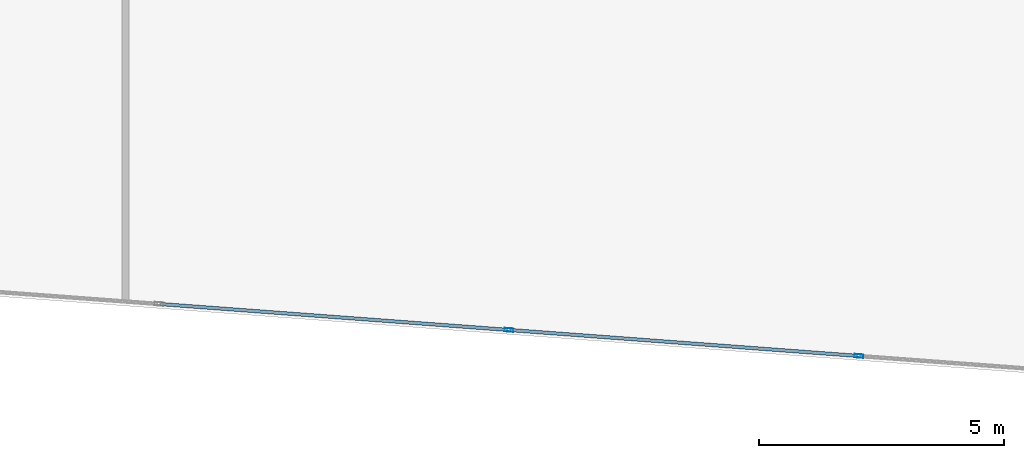
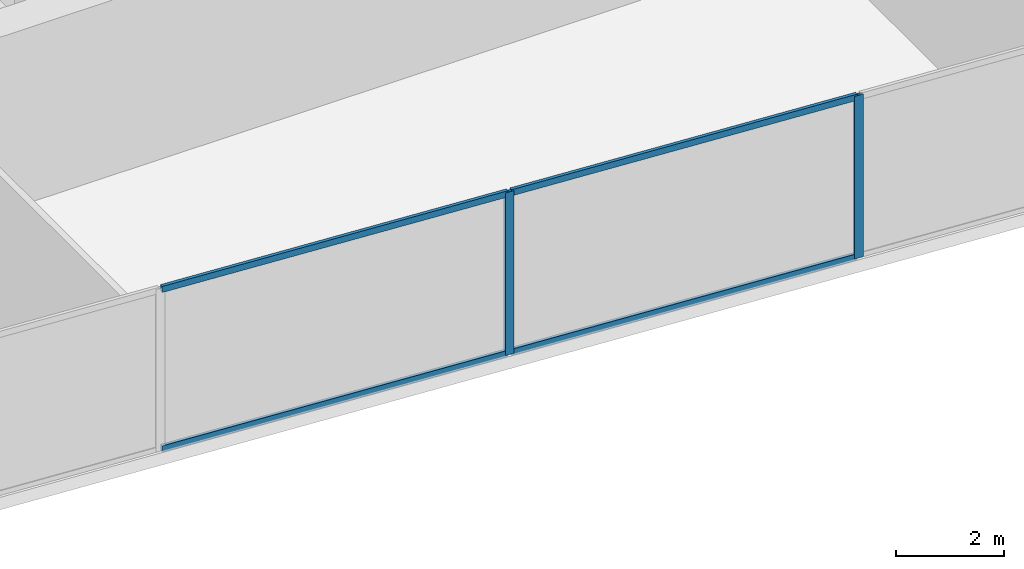
# One storey, part 6 of 30: 6 members, 1 element without a shape of its own.
"""IFC4 building model written with IfcOpenShell, lengths in metres."""

import ifcopenshell
import ifcopenshell.guid

model = None  # the IFC model being written
_history = None  # IfcOwnerHistory: only IFC2X3 demands one
_inside = {}  # id of a spatial element -> (the spatial element, [elements in it])
_under = {}  # id of a project, library or spatial element -> (it, [spatial elements below it])
_declared = {}  # id of a project -> (the project, [libraries it declares])
_typed = {}  # id of a type object -> (the type object, [elements of that type])
_made_of = {}  # id of a material, layer set ... -> (it, [elements and type objects made of it])


def new_model(schema):
    """Start an empty IFC model of exactly this schema.

    Asked for "IFC4X3", IfcOpenShell would pick the latest addendum, in which some entities
    have other attributes; the version numbers below select the first issue.
    IFC2X3 requires an IfcOwnerHistory on every rooted entity: one is made here for all.
    """
    global model, _history
    if schema == "IFC4X3":
        model = ifcopenshell.file(schema_version=(4, 3, 0, 0))
    else:
        model = ifcopenshell.file(schema=schema)
    _inside.clear()
    _under.clear()
    _declared.clear()
    _typed.clear()
    _made_of.clear()
    _history = None
    if model.schema == "IFC2X3":
        org = make("IfcOrganization", Name="unknown")
        user = make(
            "IfcPersonAndOrganization",
            ThePerson=make("IfcPerson", FamilyName="unknown"),
            TheOrganization=org,
        )
        app = make(
            "IfcApplication",
            ApplicationDeveloper=org,
            Version="unknown",
            ApplicationFullName="unknown",
            ApplicationIdentifier="unknown",
        )
        _history = make(
            "IfcOwnerHistory",
            OwningUser=user,
            OwningApplication=app,
            ChangeAction="ADDED",
            CreationDate=0,
        )
    return model


def make(cls, **values):
    """One entity of the class cls with the attributes given. An attribute that is None is left unset."""
    return model.create_entity(
        cls, **{name: value for name, value in values.items() if value is not None}
    )


def rooted(cls, **values):
    """An entity with a GlobalId (a new one), such as an element, a storey or a relation."""
    return make(cls, GlobalId=ifcopenshell.guid.new(), OwnerHistory=_history, **values)


def si_unit(unit_type, name, prefix=None):
    """IfcSIUnit, for example si_unit("LENGTHUNIT", "METRE", prefix="MILLI")."""
    return make("IfcSIUnit", UnitType=unit_type, Prefix=prefix, Name=name)


def assignment(units):
    """IfcUnitAssignment: the units of a project."""
    return None if units is None else make("IfcUnitAssignment", Units=units)


def point(xyz):
    """IfcCartesianPoint."""
    return None if xyz is None else make("IfcCartesianPoint", Coordinates=xyz)


def direction(xyz):
    """IfcDirection."""
    return None if xyz is None else make("IfcDirection", DirectionRatios=xyz)


def frame(location, z_axis=None, x_axis=None):
    """IfcAxis2Placement3D, a coordinate frame: its origin and axes. An axis left out is left unset."""
    return make(
        "IfcAxis2Placement3D",
        Location=point(location),
        Axis=direction(z_axis),
        RefDirection=direction(x_axis),
    )


def frame_2d(location, x_axis=None):
    """IfcAxis2Placement2D, a coordinate frame in the plane: its origin and x axis."""
    return make(
        "IfcAxis2Placement2D", Location=point(location), RefDirection=direction(x_axis)
    )


def origin():
    """The frame at (0, 0, 0) with its axes left unset."""
    return frame((0.0, 0.0, 0.0))


def origin_2d():
    """The frame at (0, 0) in the plane with its x axis left unset."""
    return frame_2d((0.0, 0.0))


def place(relative_to, where):
    """IfcLocalPlacement: puts the frame where relative to a parent placement (None: the world)."""
    return make(
        "IfcLocalPlacement", PlacementRelTo=relative_to, RelativePlacement=where
    )


def context(
    kind, dimensions, precision=None, world=None, true_north=None, identifier=None
):
    """IfcGeometricRepresentationContext, for example the 3D "Model" context."""
    return make(
        "IfcGeometricRepresentationContext",
        ContextIdentifier=identifier,
        ContextType=kind,
        CoordinateSpaceDimension=dimensions,
        Precision=precision,
        WorldCoordinateSystem=world,
        TrueNorth=true_north,
    )


def subcontext(parent, identifier, kind, view, scale=None):
    """IfcGeometricRepresentationSubContext, for example "Body" below "Model"."""
    return make(
        "IfcGeometricRepresentationSubContext",
        ContextIdentifier=identifier,
        ContextType=kind,
        ParentContext=parent,
        TargetScale=scale,
        TargetView=view,
    )


def project(units=None, contexts=None):
    """IfcProject with its units and contexts."""
    return rooted(
        "IfcProject",
        Name="project",
        RepresentationContexts=contexts,
        UnitsInContext=assignment(units),
    )


def spatial(cls, under=None, at=None, **own):
    """A site, building, storey or space (cls), placed at a placement, below another one or the project."""
    s = rooted(cls, ObjectPlacement=at, **own)
    if under is not None:
        _under.setdefault(under.id(), (under, []))[1].append(s)
    return s


def profile(cls, at=None, kind="AREA", **sizes):
    """A parametric profile (cls). Its sizes go by their IFC names, for example OverallWidth=200.0."""
    return make(cls, ProfileType=kind, Position=at, **sizes)


def hollow_rectangle(**sizes):
    """IfcRectangleHollowProfileDef."""
    return profile("IfcRectangleHollowProfileDef", **sizes)


def extrude(swept, where, along, depth):
    """IfcExtrudedAreaSolid: the profile swept, set in the frame where, extruded along a direction by depth."""
    return make(
        "IfcExtrudedAreaSolid",
        SweptArea=swept,
        Position=where,
        ExtrudedDirection=direction(along),
        Depth=depth,
    )


def shape(context_of_items, identifier, shape_type, items):
    """IfcShapeRepresentation: the items that make up one representation, for example the "Body"."""
    return make(
        "IfcShapeRepresentation",
        ContextOfItems=context_of_items,
        RepresentationIdentifier=identifier,
        RepresentationType=shape_type,
        Items=items,
    )


def source(mapping_origin, context_of_items, identifier, shape_type, items):
    """IfcRepresentationMap: a shape defined once, which mapped items show again and again."""
    return make(
        "IfcRepresentationMap",
        MappingOrigin=mapping_origin,
        MappedRepresentation=shape(context_of_items, identifier, shape_type, items),
    )


def transform(
    local_origin,
    x_axis=None,
    y_axis=None,
    z_axis=None,
    scale=None,
    scale2=None,
    scale3=None,
    uniform=True,
):
    """IfcCartesianTransformationOperator3D, or its non-uniform kind. x_axis, y_axis, z_axis: its Axis1, 2, 3."""
    if uniform:
        return make(
            "IfcCartesianTransformationOperator3D",
            Axis1=direction(x_axis),
            Axis2=direction(y_axis),
            LocalOrigin=point(local_origin),
            Scale=scale,
            Axis3=direction(z_axis),
        )
    return make(
        "IfcCartesianTransformationOperator3DnonUniform",
        Axis1=direction(x_axis),
        Axis2=direction(y_axis),
        LocalOrigin=point(local_origin),
        Scale=scale,
        Axis3=direction(z_axis),
        Scale2=scale2,
        Scale3=scale3,
    )


def mapped(mapping_source, mapping_target):
    """IfcMappedItem: shows the shape of a source again, moved by a transform."""
    return make(
        "IfcMappedItem", MappingSource=mapping_source, MappingTarget=mapping_target
    )


def material(Name=None, Category=None):
    """IfcMaterial."""
    return make("IfcMaterial", Name=Name, Category=Category)


def material_profile(
    of_material, cross_section, Name=None, Category=None, Priority=None
):
    """IfcMaterialProfile: a cross section and its material."""
    return make(
        "IfcMaterialProfile",
        Name=Name,
        Material=of_material,
        Profile=cross_section,
        Priority=Priority,
        Category=Category,
    )


def profile_set(profiles, Name=None, composite=None):
    """IfcMaterialProfileSet."""
    return make(
        "IfcMaterialProfileSet",
        Name=Name,
        MaterialProfiles=profiles,
        CompositeProfile=composite,
    )


def made_of(thing, what):
    """Note that an element or type object is made of a material, layer set ...; save() writes the relation."""
    if what is not None:
        _made_of.setdefault(what.id(), (what, []))[1].append(thing)
    return thing


def type_object(cls, material=None, **own):
    """A type object (cls), such as IfcWallType, which elements share."""
    return made_of(rooted(cls, **own), material)


def type_shapes(of_type, sources):
    """Give a type object the sources (RepresentationMaps) that its elements show as mapped items."""
    of_type.RepresentationMaps = sources


def element(
    cls,
    number,
    at=None,
    inside=None,
    cuts=None,
    type_object=None,
    material=None,
    context=None,
    identifier="Body",
    shape_type=None,
    held_by="IfcProductDefinitionShape",
    body=None,
    shapes=None,
    **own,
):
    """One element of the class cls, such as IfcWall. Its Tag is "e" and its number.

    at: its placement. inside: the storey or other place that contains it. cuts: it is an
    opening in that element (IfcRelVoidsElement). A single representation is given by context,
    identifier, shape_type and body (its items); several are given by shapes. held_by: the class
    of the entity that holds the representations. save() writes the other relations.
    """
    e = rooted(cls, Tag="e%d" % number, ObjectPlacement=at, **own)
    if body is not None:
        shapes = [shape(context, identifier, shape_type, body)]
    if shapes is not None:
        e.Representation = make(held_by, Representations=shapes)
    if inside is not None:
        _inside.setdefault(inside.id(), (inside, []))[1].append(e)
    if cuts is not None:
        rooted(
            "IfcRelVoidsElement", RelatingBuildingElement=cuts, RelatedOpeningElement=e
        )
    if type_object is not None:
        _typed.setdefault(type_object.id(), (type_object, []))[1].append(e)
    return made_of(e, material)


def aggregate(whole, parts):
    """IfcRelAggregates: a whole, such as a stair, and the parts it consists of."""
    return rooted("IfcRelAggregates", RelatingObject=whole, RelatedObjects=parts)


def save(model, path):
    """Write the relations noted so far, then the file.

    IfcRelAggregates (storeys below a building ...), IfcRelContainedInSpatialStructure (elements
    in a storey), IfcRelDefinesByType, IfcRelAssociatesMaterial and IfcRelDeclares: one each for
    every whole, place, type object, material and project.
    """
    for whole, parts in _under.values():
        aggregate(whole, parts)
    for where, things in _inside.values():
        rooted(
            "IfcRelContainedInSpatialStructure",
            RelatedElements=things,
            RelatingStructure=where,
        )
    for kind, things in _typed.values():
        rooted("IfcRelDefinesByType", RelatedObjects=things, RelatingType=kind)
    for what, things in _made_of.values():
        rooted("IfcRelAssociatesMaterial", RelatedObjects=things, RelatingMaterial=what)
    for by, libraries in _declared.values():
        rooted("IfcRelDeclares", RelatingContext=by, RelatedDefinitions=libraries)
    model.write(path)


model = new_model("IFC4")

# Units and contexts
model_context = context("Model", 3, precision=1e-05, world=origin(), true_north=direction((0.0, 1.0)))
body_context = subcontext(model_context, "Body", "Model", "MODEL_VIEW")
ifc_project = project(units=[si_unit("LENGTHUNIT", "METRE"), si_unit("AREAUNIT", "SQUARE_METRE"), si_unit("VOLUMEUNIT", "CUBIC_METRE"), si_unit("PLANEANGLEUNIT", "RADIAN"), si_unit("MASSUNIT", "GRAM", prefix="KILO")], contexts=[model_context])

# Site, building, storey
site_placement = place(None, origin())
site = spatial("IfcSite", under=ifc_project, at=site_placement, CompositionType="ELEMENT")
building_placement = place(site_placement, origin())
building = spatial("IfcBuilding", under=site, at=building_placement, Name="Krantzveldt Concourse Tower", CompositionType="ELEMENT")
storey_placement = place(building_placement, frame((0.0, 0.0, 48.699951171875)))
storey = spatial("IfcBuildingStorey", under=building, at=storey_placement, Name="L11", CompositionType="ELEMENT", Elevation=48.699951171875)

# Curtain wall, members
ifc_material = material(Name="Anodised aluminium 6063-T6", Category="aluminium")
curtain_wall_type = type_object("IfcCurtainWallType", Name="CW2", PredefinedType="USERDEFINED", material=ifc_material)
curtain_wall_placement = place(storey_placement, origin())
curtain_wall = element("IfcCurtainWall", 1, at=curtain_wall_placement, inside=storey, type_object=curtain_wall_type, Name="CW-L11-F04", ObjectType="UNITISED CURTAIN WALL", PredefinedType="USERDEFINED")
ifc_material_profile_1 = material_profile(ifc_material, hollow_rectangle(XDim=0.070068359375, YDim=0.139892578125, WallThickness=0.0048828125, at=origin_2d()), Name="Anodised aluminium 6063-T6", Category="aluminium")
ifc_profile_set_1 = profile_set([ifc_material_profile_1], Name="Anodised aluminium 6063-T6 - ALU-TRAN 140x70x5")
member_type_1 = type_object("IfcMemberType", Name="CW-TRN-150", PredefinedType="USERDEFINED", material=ifc_profile_set_1)
shared_shape_1 = source(origin(), body_context, "Body", "SweptSolid", [
    extrude(hollow_rectangle(XDim=0.070068359375, YDim=0.139892578125, WallThickness=0.0048828125, at=origin_2d()), origin(), (0.0, 0.0, 1.0), 7.0966796875),
])
type_shapes(member_type_1, [shared_shape_1])
member_1_placement = place(storey_placement, frame((27.0419921875, 2.386962890625, 0.03515625), z_axis=(0.997250644028, -0.074102314311, 0.0), x_axis=(0.074102314311, 0.997250644028, 0.0)))
member_1 = element("IfcMember", 2, at=member_1_placement, type_object=member_type_1, Name="CW-Z12 transom 3.1", ObjectType="TRANSOM", PredefinedType="USERDEFINED", context=body_context, shape_type="MappedRepresentation", body=[
    mapped(shared_shape_1, transform((0.0, 0.0, 0.0), x_axis=(1.0, 0.0, 0.0), y_axis=(0.0, 1.0, 0.0), z_axis=(0.0, 0.0, 1.0), scale=1.0)),
])
member_2_placement = place(storey_placement, frame((27.0419921875, 2.386962890625, 3.635009765625), z_axis=(0.997250644028, -0.074102314311, 0.0), x_axis=(0.074102314311, 0.997250644028, 0.0)))
member_2 = element("IfcMember", 3, at=member_2_placement, type_object=member_type_1, Name="CW-Z12 transom 3.2", ObjectType="TRANSOM", PredefinedType="USERDEFINED", context=body_context, shape_type="MappedRepresentation", body=[
    mapped(shared_shape_1, transform((0.0, 0.0, 0.0), x_axis=(1.0, 0.0, 0.0), y_axis=(0.0, 1.0, 0.0), z_axis=(0.0, 0.0, 1.0), scale=1.0)),
])
member_3_placement = place(storey_placement, frame((34.18896484375, 1.85595703125, 0.03515625), z_axis=(0.997250644028, -0.074102314311, 0.0), x_axis=(0.074102314311, 0.997250644028, 0.0)))
member_3 = element("IfcMember", 4, at=member_3_placement, type_object=member_type_1, Name="CW-Z12 transom 4.1", ObjectType="TRANSOM", PredefinedType="USERDEFINED", context=body_context, shape_type="MappedRepresentation", body=[
    mapped(shared_shape_1, transform((0.0, 0.0, 0.0), x_axis=(1.0, 0.0, 0.0), y_axis=(0.0, 1.0, 0.0), z_axis=(0.0, 0.0, 1.0), scale=1.0)),
])
member_4_placement = place(storey_placement, frame((34.18896484375, 1.85595703125, 3.635009765625), z_axis=(0.997250644028, -0.074102314311, 0.0), x_axis=(0.074102314311, 0.997250644028, 0.0)))
member_4 = element("IfcMember", 5, at=member_4_placement, type_object=member_type_1, Name="CW-Z12 transom 4.2", ObjectType="TRANSOM", PredefinedType="USERDEFINED", context=body_context, shape_type="MappedRepresentation", body=[
    mapped(shared_shape_1, transform((0.0, 0.0, 0.0), x_axis=(1.0, 0.0, 0.0), y_axis=(0.0, 1.0, 0.0), z_axis=(0.0, 0.0, 1.0), scale=1.0)),
])
ifc_material_profile_2 = material_profile(ifc_material, hollow_rectangle(XDim=0.070068359375, YDim=0.179931640625, WallThickness=0.0048828125, at=origin_2d()), Name="Anodised aluminium 6063-T6", Category="aluminium")
ifc_profile_set_2 = profile_set([ifc_material_profile_2], Name="Anodised aluminium 6063-T6 - ALU-MULL 180x70x5")
member_type_2 = type_object("IfcMemberType", Name="CW-MUL-180", PredefinedType="MULLION", material=ifc_profile_set_2)
shared_shape_2 = source(origin(), body_context, "Body", "SweptSolid", [
    extrude(hollow_rectangle(XDim=0.070068359375, YDim=0.179931640625, WallThickness=0.0048828125, at=origin_2d()), origin(), (0.0, 0.0, 1.0), 3.670166015625),
])
type_shapes(member_type_2, [shared_shape_2])
member_5_placement = place(storey_placement, frame((34.154052734375, 1.8583984375, 0.0), z_axis=(0.0, 0.0, 1.0), x_axis=(0.07410860051, 0.997250176902, 0.0)))
member_5 = element("IfcMember", 6, at=member_5_placement, type_object=member_type_2, Name="CW-Z12 mullion 4", PredefinedType="MULLION", context=body_context, shape_type="MappedRepresentation", body=[
    mapped(shared_shape_2, transform((0.0, 0.0, 0.0), x_axis=(1.0, 0.0, 0.0), y_axis=(0.0, 1.0, 0.0), z_axis=(0.0, 0.0, 1.0), scale=1.0)),
])
member_6_placement = place(storey_placement, frame((41.301025390625, 1.327392578125, 0.0), z_axis=(0.0, 0.0, 1.0), x_axis=(0.07410860051, 0.997250176902, 0.0)))
member_6 = element("IfcMember", 7, at=member_6_placement, type_object=member_type_2, Name="CW-Z12 mullion 5", PredefinedType="MULLION", context=body_context, shape_type="MappedRepresentation", body=[
    mapped(shared_shape_2, transform((0.0, 0.0, 0.0), x_axis=(1.0, 0.0, 0.0), y_axis=(0.0, 1.0, 0.0), z_axis=(0.0, 0.0, 1.0), scale=1.0)),
])
aggregate(curtain_wall, [member_5, member_6, member_1, member_2, member_3, member_4])

save(model, "model.ifc")
